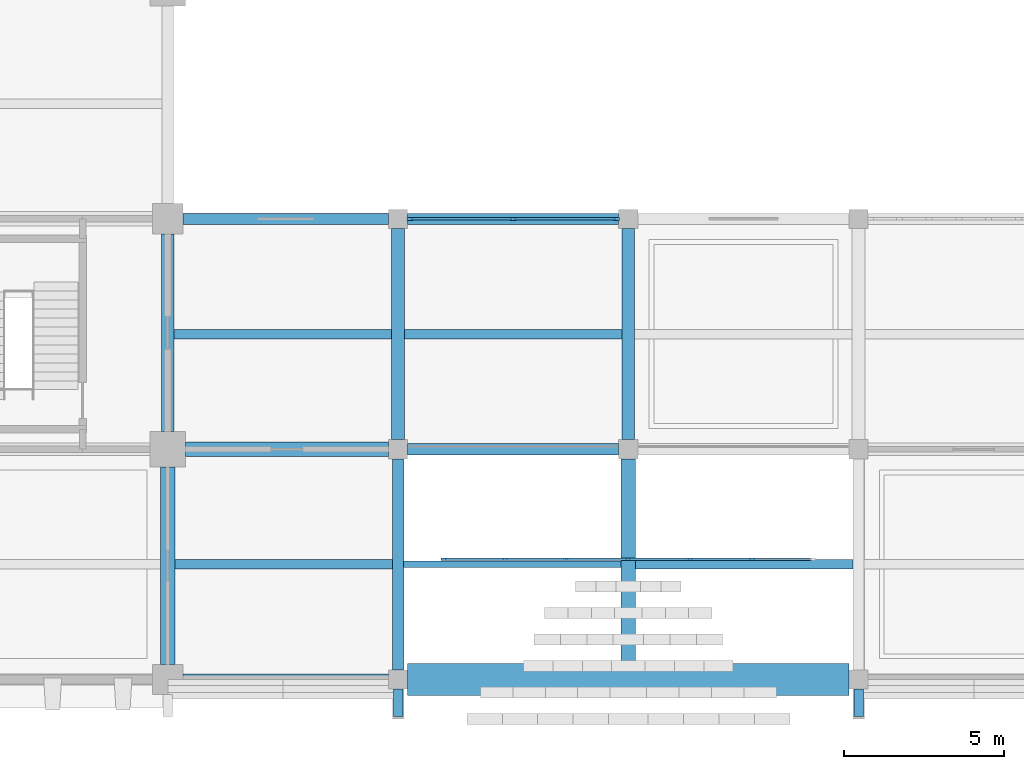
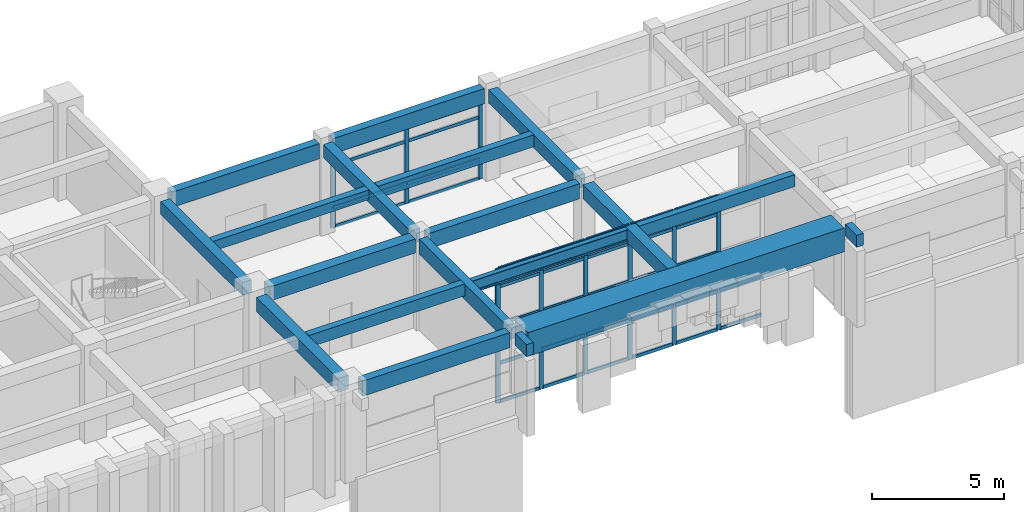
# One storey, part 9 of 81: 45 members, 18 beams, 2 elements without a shape of their own.
"""IFC4 building model written with IfcOpenShell, lengths in metres."""

import ifcopenshell
import ifcopenshell.guid

model = None  # the IFC model being written
_history = None  # IfcOwnerHistory: only IFC2X3 demands one
_inside = {}  # id of a spatial element -> (the spatial element, [elements in it])
_under = {}  # id of a project, library or spatial element -> (it, [spatial elements below it])
_declared = {}  # id of a project -> (the project, [libraries it declares])
_typed = {}  # id of a type object -> (the type object, [elements of that type])
_made_of = {}  # id of a material, layer set ... -> (it, [elements and type objects made of it])


def new_model(schema):
    """Start an empty IFC model of exactly this schema.

    Asked for "IFC4X3", IfcOpenShell would pick the latest addendum, in which some entities
    have other attributes; the version numbers below select the first issue.
    IFC2X3 requires an IfcOwnerHistory on every rooted entity: one is made here for all.
    """
    global model, _history
    if schema == "IFC4X3":
        model = ifcopenshell.file(schema_version=(4, 3, 0, 0))
    else:
        model = ifcopenshell.file(schema=schema)
    _inside.clear()
    _under.clear()
    _declared.clear()
    _typed.clear()
    _made_of.clear()
    _history = None
    if model.schema == "IFC2X3":
        org = make("IfcOrganization", Name="unknown")
        user = make(
            "IfcPersonAndOrganization",
            ThePerson=make("IfcPerson", FamilyName="unknown"),
            TheOrganization=org,
        )
        app = make(
            "IfcApplication",
            ApplicationDeveloper=org,
            Version="unknown",
            ApplicationFullName="unknown",
            ApplicationIdentifier="unknown",
        )
        _history = make(
            "IfcOwnerHistory",
            OwningUser=user,
            OwningApplication=app,
            ChangeAction="ADDED",
            CreationDate=0,
        )
    return model


def make(cls, **values):
    """One entity of the class cls with the attributes given. An attribute that is None is left unset."""
    return model.create_entity(
        cls, **{name: value for name, value in values.items() if value is not None}
    )


def rooted(cls, **values):
    """An entity with a GlobalId (a new one), such as an element, a storey or a relation."""
    return make(cls, GlobalId=ifcopenshell.guid.new(), OwnerHistory=_history, **values)


def si_unit(unit_type, name, prefix=None):
    """IfcSIUnit, for example si_unit("LENGTHUNIT", "METRE", prefix="MILLI")."""
    return make("IfcSIUnit", UnitType=unit_type, Prefix=prefix, Name=name)


def assignment(units):
    """IfcUnitAssignment: the units of a project."""
    return None if units is None else make("IfcUnitAssignment", Units=units)


def point(xyz):
    """IfcCartesianPoint."""
    return None if xyz is None else make("IfcCartesianPoint", Coordinates=xyz)


def direction(xyz):
    """IfcDirection."""
    return None if xyz is None else make("IfcDirection", DirectionRatios=xyz)


def frame(location, z_axis=None, x_axis=None):
    """IfcAxis2Placement3D, a coordinate frame: its origin and axes. An axis left out is left unset."""
    return make(
        "IfcAxis2Placement3D",
        Location=point(location),
        Axis=direction(z_axis),
        RefDirection=direction(x_axis),
    )


def frame_2d(location, x_axis=None):
    """IfcAxis2Placement2D, a coordinate frame in the plane: its origin and x axis."""
    return make(
        "IfcAxis2Placement2D", Location=point(location), RefDirection=direction(x_axis)
    )


def origin():
    """The frame at (0, 0, 0) with its axes left unset."""
    return frame((0.0, 0.0, 0.0))


def origin_2d():
    """The frame at (0, 0) in the plane with its x axis left unset."""
    return frame_2d((0.0, 0.0))


def place(relative_to, where):
    """IfcLocalPlacement: puts the frame where relative to a parent placement (None: the world)."""
    return make(
        "IfcLocalPlacement", PlacementRelTo=relative_to, RelativePlacement=where
    )


def context(
    kind, dimensions, precision=None, world=None, true_north=None, identifier=None
):
    """IfcGeometricRepresentationContext, for example the 3D "Model" context."""
    return make(
        "IfcGeometricRepresentationContext",
        ContextIdentifier=identifier,
        ContextType=kind,
        CoordinateSpaceDimension=dimensions,
        Precision=precision,
        WorldCoordinateSystem=world,
        TrueNorth=true_north,
    )


def subcontext(parent, identifier, kind, view, scale=None):
    """IfcGeometricRepresentationSubContext, for example "Body" below "Model"."""
    return make(
        "IfcGeometricRepresentationSubContext",
        ContextIdentifier=identifier,
        ContextType=kind,
        ParentContext=parent,
        TargetScale=scale,
        TargetView=view,
    )


def project(units=None, contexts=None):
    """IfcProject with its units and contexts."""
    return rooted(
        "IfcProject",
        Name="project",
        RepresentationContexts=contexts,
        UnitsInContext=assignment(units),
    )


def spatial(cls, under=None, at=None, **own):
    """A site, building, storey or space (cls), placed at a placement, below another one or the project."""
    s = rooted(cls, ObjectPlacement=at, **own)
    if under is not None:
        _under.setdefault(under.id(), (under, []))[1].append(s)
    return s


def profile(cls, at=None, kind="AREA", **sizes):
    """A parametric profile (cls). Its sizes go by their IFC names, for example OverallWidth=200.0."""
    return make(cls, ProfileType=kind, Position=at, **sizes)


def rectangle(**sizes):
    """IfcRectangleProfileDef."""
    return profile("IfcRectangleProfileDef", **sizes)


def i_section(**sizes):
    """IfcIShapeProfileDef."""
    return profile("IfcIShapeProfileDef", **sizes)


def extrude(swept, where, along, depth):
    """IfcExtrudedAreaSolid: the profile swept, set in the frame where, extruded along a direction by depth."""
    return make(
        "IfcExtrudedAreaSolid",
        SweptArea=swept,
        Position=where,
        ExtrudedDirection=direction(along),
        Depth=depth,
    )


def shape(context_of_items, identifier, shape_type, items):
    """IfcShapeRepresentation: the items that make up one representation, for example the "Body"."""
    return make(
        "IfcShapeRepresentation",
        ContextOfItems=context_of_items,
        RepresentationIdentifier=identifier,
        RepresentationType=shape_type,
        Items=items,
    )


def material(Name=None, Category=None):
    """IfcMaterial."""
    return make("IfcMaterial", Name=Name, Category=Category)


def layer(
    of_material, thickness, ventilated=None, Name=None, Category=None, Priority=None
):
    """IfcMaterialLayer: one layer of a wall or slab, of a material (None: an air gap)."""
    return make(
        "IfcMaterialLayer",
        Material=of_material,
        LayerThickness=thickness,
        IsVentilated=ventilated,
        Name=Name,
        Category=Category,
        Priority=Priority,
    )


def layer_set(layers, Name=None):
    """IfcMaterialLayerSet."""
    return make("IfcMaterialLayerSet", MaterialLayers=layers, LayerSetName=Name)


def material_profile(
    of_material, cross_section, Name=None, Category=None, Priority=None
):
    """IfcMaterialProfile: a cross section and its material."""
    return make(
        "IfcMaterialProfile",
        Name=Name,
        Material=of_material,
        Profile=cross_section,
        Priority=Priority,
        Category=Category,
    )


def profile_set(profiles, Name=None, composite=None):
    """IfcMaterialProfileSet."""
    return make(
        "IfcMaterialProfileSet",
        Name=Name,
        MaterialProfiles=profiles,
        CompositeProfile=composite,
    )


def made_of(thing, what):
    """Note that an element or type object is made of a material, layer set ...; save() writes the relation."""
    if what is not None:
        _made_of.setdefault(what.id(), (what, []))[1].append(thing)
    return thing


def type_object(cls, material=None, **own):
    """A type object (cls), such as IfcWallType, which elements share."""
    return made_of(rooted(cls, **own), material)


def element(
    cls,
    number,
    at=None,
    inside=None,
    cuts=None,
    type_object=None,
    material=None,
    context=None,
    identifier="Body",
    shape_type=None,
    held_by="IfcProductDefinitionShape",
    body=None,
    shapes=None,
    **own,
):
    """One element of the class cls, such as IfcWall. Its Tag is "e" and its number.

    at: its placement. inside: the storey or other place that contains it. cuts: it is an
    opening in that element (IfcRelVoidsElement). A single representation is given by context,
    identifier, shape_type and body (its items); several are given by shapes. held_by: the class
    of the entity that holds the representations. save() writes the other relations.
    """
    e = rooted(cls, Tag="e%d" % number, ObjectPlacement=at, **own)
    if body is not None:
        shapes = [shape(context, identifier, shape_type, body)]
    if shapes is not None:
        e.Representation = make(held_by, Representations=shapes)
    if inside is not None:
        _inside.setdefault(inside.id(), (inside, []))[1].append(e)
    if cuts is not None:
        rooted(
            "IfcRelVoidsElement", RelatingBuildingElement=cuts, RelatedOpeningElement=e
        )
    if type_object is not None:
        _typed.setdefault(type_object.id(), (type_object, []))[1].append(e)
    return made_of(e, material)


def aggregate(whole, parts):
    """IfcRelAggregates: a whole, such as a stair, and the parts it consists of."""
    return rooted("IfcRelAggregates", RelatingObject=whole, RelatedObjects=parts)


def save(model, path):
    """Write the relations noted so far, then the file.

    IfcRelAggregates (storeys below a building ...), IfcRelContainedInSpatialStructure (elements
    in a storey), IfcRelDefinesByType, IfcRelAssociatesMaterial and IfcRelDeclares: one each for
    every whole, place, type object, material and project.
    """
    for whole, parts in _under.values():
        aggregate(whole, parts)
    for where, things in _inside.values():
        rooted(
            "IfcRelContainedInSpatialStructure",
            RelatedElements=things,
            RelatingStructure=where,
        )
    for kind, things in _typed.values():
        rooted("IfcRelDefinesByType", RelatedObjects=things, RelatingType=kind)
    for what, things in _made_of.values():
        rooted("IfcRelAssociatesMaterial", RelatedObjects=things, RelatingMaterial=what)
    for by, libraries in _declared.values():
        rooted("IfcRelDeclares", RelatingContext=by, RelatedDefinitions=libraries)
    model.write(path)


model = new_model("IFC4")

# Units and contexts
model_context = context("Model", 3, precision=1e-05, world=origin(), true_north=direction((0.0, 1.0)))
body_context = subcontext(model_context, "Body", "Model", "MODEL_VIEW")
ifc_project = project(units=[si_unit("LENGTHUNIT", "METRE"), si_unit("AREAUNIT", "SQUARE_METRE"), si_unit("VOLUMEUNIT", "CUBIC_METRE"), si_unit("PLANEANGLEUNIT", "RADIAN"), si_unit("MASSUNIT", "GRAM", prefix="KILO")], contexts=[model_context])

# Site, building, storey
site_placement = place(None, origin())
site = spatial("IfcSite", under=ifc_project, at=site_placement, CompositionType="ELEMENT")
building_placement = place(site_placement, origin())
building = spatial("IfcBuilding", under=site, at=building_placement, Name="Kavelor Marine Aquarium", CompositionType="ELEMENT")
storey_placement = place(building_placement, frame((0.0, 0.0, 4.679931640625)))
storey = spatial("IfcBuildingStorey", under=building, at=storey_placement, Name="L01", CompositionType="ELEMENT", Elevation=4.679931640625)

# Beams
ifc_material_1 = material(Name="Concrete C40/50", Category="concrete")
ifc_material_profile_1 = material_profile(ifc_material_1, rectangle(XDim=0.449951171875, YDim=0.64990234375, at=origin_2d()), Name="RC-BM 450x650")
ifc_profile_set_1 = profile_set([ifc_material_profile_1], Name="Concrete C40/50")
beam_type_1 = type_object("IfcBeamType", Name="BM-B3", PredefinedType="BEAM", material=ifc_profile_set_1)
beam_1_placement = place(storey_placement, frame((68.550048828125, 10.0, 3.875), z_axis=(1.0, 0.0, 0.0), x_axis=(0.0, 1.0, 0.0)))
element("IfcBeam", 1, at=beam_1_placement, inside=storey, type_object=beam_type_1, Name="bm:x:L01:L02:09_01", PredefinedType="BEAM", context=body_context, shape_type="SweptSolid", body=[
    extrude(rectangle(XDim=0.449951171875, YDim=0.64990234375, at=origin_2d()), origin(), (0.0, 0.0, 1.0), 6.349853515625),
])
beam_2_placement = place(storey_placement, frame((68.0, 3.27490234375, 3.875), z_axis=(0.0, 1.0, 0.0), x_axis=(-1.0, 0.0, 0.0)))
element("IfcBeam", 2, at=beam_2_placement, inside=storey, type_object=beam_type_1, Name="bm:y:L01:L02:09_00", PredefinedType="BEAM", context=body_context, shape_type="SweptSolid", body=[
    extrude(rectangle(XDim=0.449951171875, YDim=0.64990234375, at=origin_2d()), origin(), (0.0, 0.0, 1.0), 6.175048828125),
])
beam_3_placement = place(storey_placement, frame((82.39990234375, 3.300048828125, 3.875), z_axis=(0.0, 1.0, 0.0), x_axis=(-1.0, 0.0, 0.0)))
element("IfcBeam", 3, at=beam_3_placement, inside=storey, type_object=beam_type_1, Name="bm:y:L01:L02:11_00", PredefinedType="BEAM", context=body_context, shape_type="SweptSolid", body=[
    extrude(rectangle(XDim=0.449951171875, YDim=0.64990234375, at=origin_2d()), origin(), (0.0, 0.0, 1.0), 6.39990234375),
])
ifc_material_2 = material(Name="Concrete C40/50", Category="concrete")
ifc_material_profile_2 = material_profile(ifc_material_2, rectangle(XDim=0.39990234375, YDim=0.60009765625, at=origin_2d()), Name="RC-BM 400x600")
ifc_profile_set_2 = profile_set([ifc_material_profile_2], Name="Concrete C40/50")
beam_type_2 = type_object("IfcBeamType", Name="BM-B4", PredefinedType="BEAM", material=ifc_profile_set_2)
beam_4_placement = place(storey_placement, frame((68.0, 10.550048828125, 3.900146484375), z_axis=(0.0, 1.0, 0.0), x_axis=(-1.0, 0.0, 0.0)))
element("IfcBeam", 4, at=beam_4_placement, inside=storey, type_object=beam_type_2, Name="bm:y:L01:L02:09_01", PredefinedType="BEAM", context=body_context, shape_type="SweptSolid", body=[
    extrude(rectangle(XDim=0.39990234375, YDim=0.60009765625, at=origin_2d()), origin(), (0.0, 0.0, 1.0), 6.175048828125),
])
for number, where, z_axis, x_axis, name in (
    (5, (75.199951171875, 10.300048828125, 3.900146484375), (0.0, 1.0, 0.0), (-1.0, 0.0, 0.0), "bm:y:L01:L02:10_01"),
    (6, (82.39990234375, 10.300048828125, 3.900146484375), (0.0, 1.0, 0.0), (-1.0, 0.0, 0.0), "bm:y:L01:L02:11_01"),
):
    element("IfcBeam", number, at=place(storey_placement, frame(where, z_axis=z_axis, x_axis=x_axis)), inside=storey, type_object=beam_type_2, Name=name, PredefinedType="BEAM", context=body_context, shape_type="SweptSolid", body=[
        extrude(rectangle(XDim=0.39990234375, YDim=0.60009765625, at=origin_2d()), origin(), (0.0, 0.0, 1.0), 6.599853515625),
    ])
ifc_material_3 = material(Name="Concrete C40/50", Category="concrete")
ifc_material_profile_3 = material_profile(ifc_material_3, rectangle(XDim=0.300048828125, YDim=0.449951171875, at=origin_2d()), Name="RC-JS 300x450")
ifc_profile_set_3 = profile_set([ifc_material_profile_3], Name="Concrete C40/50")
beam_type_3 = type_object("IfcBeamType", Name="BM-JS1", PredefinedType="JOIST", material=ifc_profile_set_3)
beam_5_placement = place(storey_placement, frame((68.199951171875, 13.60009765625, 3.97509765625), z_axis=(1.0, 0.0, 0.0), x_axis=(0.0, 1.0, 0.0)))
element("IfcBeam", 7, at=beam_5_placement, inside=storey, type_object=beam_type_3, Name="js:L01:L02:09_01", PredefinedType="JOIST", context=body_context, shape_type="SweptSolid", body=[
    extrude(rectangle(XDim=0.300048828125, YDim=0.449951171875, at=origin_2d()), origin(), (0.0, 0.0, 1.0), 6.800048828125),
])
ifc_material_4 = material(Name="Concrete C40/50", Category="concrete")
ifc_material_profile_4 = material_profile(ifc_material_4, rectangle(XDim=0.300048828125, YDim=0.550048828125, at=origin_2d()), Name="RC-JS 300x550")
ifc_profile_set_4 = profile_set([ifc_material_profile_4], Name="Concrete C40/50")
beam_type_4 = type_object("IfcBeamType", Name="BM-JS2", PredefinedType="JOIST", material=ifc_profile_set_4)
beam_6_placement = place(storey_placement, frame((68.22509765625, 6.39990234375, 3.945068359375), z_axis=(1.0, 0.0, 0.0), x_axis=(0.0, 1.0, 0.0)))
element("IfcBeam", 8, at=beam_6_placement, inside=storey, type_object=beam_type_4, Name="js:L01:L02:09_00", PredefinedType="JOIST", context=body_context, shape_type="SweptSolid", body=[
    extrude(rectangle(XDim=0.300048828125, YDim=0.550048828125, at=origin_2d()), origin(), (0.0, 0.0, 1.0), 6.7998046875),
])
for number, where, z_axis, x_axis, name in (
    (9, (75.39990234375, 13.60009765625, 3.945068359375), (1.0, 0.0, 0.0), (0.0, 1.0, 0.0), "js:L01:L02:10_01"),
    (10, (82.625, 6.39990234375, 3.945068359375), (1.0, 0.0, 0.0), (0.0, 1.0, 0.0), "js:L01:L02:11_00"),
):
    element("IfcBeam", number, at=place(storey_placement, frame(where, z_axis=z_axis, x_axis=x_axis)), inside=storey, type_object=beam_type_4, Name=name, PredefinedType="JOIST", context=body_context, shape_type="SweptSolid", body=[
        extrude(rectangle(XDim=0.300048828125, YDim=0.550048828125, at=origin_2d()), origin(), (0.0, 0.0, 1.0), 6.800048828125),
    ])
ifc_material_5 = material(Name="Concrete C40/50", Category="concrete")
ifc_material_profile_5 = material_profile(ifc_material_5, rectangle(XDim=0.35009765625, YDim=0.699951171875, at=origin_2d()), Name="RC-SP 350x700")
ifc_profile_set_5 = profile_set([ifc_material_profile_5], Name="Concrete C40/50")
beam_type_5 = type_object("IfcBeamType", Name="BM-SP1", PredefinedType="SPANDREL", material=ifc_profile_set_5)
for number, where, z_axis, x_axis, name in (
    (11, (68.47509765625, 2.800048828125, 3.8701171875), (1.0, 0.0, 0.0), (0.0, 1.0, 0.0), "bm:x:L01:L02:09_00"),
    (12, (68.47509765625, 17.199951171875, 3.85009765625), (1.0, 0.0, 0.0), (0.0, 1.0, 0.0), "bm:x:L01:L02:09_02"),
):
    element("IfcBeam", number, at=place(storey_placement, frame(where, z_axis=z_axis, x_axis=x_axis)), inside=storey, type_object=beam_type_5, Name=name, PredefinedType="SPANDREL", context=body_context, shape_type="SweptSolid", body=[
        extrude(rectangle(XDim=0.35009765625, YDim=0.699951171875, at=origin_2d()), origin(), (0.0, 0.0, 1.0), 6.4248046875),
    ])
for number, where, z_axis, x_axis, name in (
    (13, (75.5, 10.0, 3.85009765625), (1.0, 0.0, 0.0), (0.0, 1.0, 0.0), "bm:x:L01:L02:10_01"),
    (14, (75.5, 17.199951171875, 3.8701171875), (1.0, 0.0, 0.0), (0.0, 1.0, 0.0), "bm:x:L01:L02:10_02"),
):
    element("IfcBeam", number, at=place(storey_placement, frame(where, z_axis=z_axis, x_axis=x_axis)), inside=storey, type_object=beam_type_5, Name=name, PredefinedType="SPANDREL", context=body_context, shape_type="SweptSolid", body=[
        extrude(rectangle(XDim=0.35009765625, YDim=0.699951171875, at=origin_2d()), origin(), (0.0, 0.0, 1.0), 6.60009765625),
    ])
beam_7_placement = place(storey_placement, frame((75.199951171875, 3.10009765625, 3.85009765625), z_axis=(0.0, 1.0, 0.0), x_axis=(-1.0, 0.0, 0.0)))
element("IfcBeam", 15, at=beam_7_placement, inside=storey, type_object=beam_type_5, Name="bm:y:L01:L02:10_00", PredefinedType="SPANDREL", context=body_context, shape_type="SweptSolid", body=[
    extrude(rectangle(XDim=0.35009765625, YDim=0.699951171875, at=origin_2d()), origin(), (0.0, 0.0, 1.0), 6.599853515625),
])
ifc_material_6 = material(Name="Concrete C40/50", Category="concrete")
ifc_material_profile_6 = material_profile(ifc_material_6, rectangle(XDim=0.300048828125, YDim=0.550048828125, at=origin_2d()), Name="RC-SP 300x550")
ifc_profile_set_6 = profile_set([ifc_material_profile_6], Name="Concrete C40/50")
beam_type_6 = type_object("IfcBeamType", Name="BM-SP2", PredefinedType="SPANDREL", material=ifc_profile_set_6)
for number, where, z_axis, x_axis, name in (
    (16, (75.199951171875, 1.639892578125, 3.925048828125), (0.0, 1.0, 0.0), (-1.0, 0.0, 0.0), "bm:out:s:L01:L02:10"),
    (17, (89.60009765625, 1.639892578125, 3.925048828125), (0.0, 1.0, 0.0), (-1.0, 0.0, 0.0), "bm:out:s:L01:L02:12"),
):
    element("IfcBeam", number, at=place(storey_placement, frame(where, z_axis=z_axis, x_axis=x_axis)), inside=storey, type_object=beam_type_6, Name=name, PredefinedType="SPANDREL", context=body_context, shape_type="SweptSolid", body=[
        extrude(rectangle(XDim=0.300048828125, YDim=0.550048828125, at=origin_2d()), origin(), (0.0, 0.0, 1.0), 0.860107421875),
    ])
ifc_material_7 = material(Name="Concrete C45/55", Category="concrete")
ifc_material_profile_7 = material_profile(ifc_material_7, rectangle(XDim=1.0, YDim=1.10009765625, at=origin_2d()), Name="RC-TG 1000x1100")
ifc_profile_set_7 = profile_set([ifc_material_profile_7], Name="Concrete C45/55")
beam_type_7 = type_object("IfcBeamType", Name="BM-TG1", PredefinedType="BEAM", material=ifc_profile_set_7)
beam_8_placement = place(storey_placement, frame((75.5, 2.800048828125, 3.650146484375), z_axis=(1.0, 0.0, 0.0), x_axis=(0.0, 1.0, 0.0)))
element("IfcBeam", 18, at=beam_8_placement, inside=storey, type_object=beam_type_7, Name="bm:x:L01:L02:10_00_span", PredefinedType="BEAM", context=body_context, shape_type="SweptSolid", body=[
    extrude(rectangle(XDim=1.0, YDim=1.10009765625, at=origin_2d()), origin(), (0.0, 0.0, 1.0), 13.800048828125),
])

# Curtain wall, members
ifc_material_8 = material(Name="Thermally Broken Aluminium and Low-E Glass", Category="aluminium")
ifc_layer_1 = layer(ifc_material_8, 0.2919921875)
ifc_layer_set_1 = layer_set([ifc_layer_1], Name="CW-SYS19")
curtain_wall_type_1 = type_object("IfcCurtainWallType", Name="CW-SYS19", PredefinedType="USERDEFINED", material=ifc_layer_set_1)
curtain_wall_1_placement = place(storey_placement, origin())
curtain_wall_1 = element("IfcCurtainWall", 19, at=curtain_wall_1_placement, inside=storey, type_object=curtain_wall_type_1, Name="cw:portal:south:screen", ObjectType="Curtain Wall", PredefinedType="USERDEFINED")
ifc_material_9 = material(Name="Anodised Aluminium Alloy 6063-T6", Category="aluminium")
ifc_material_profile_8 = material_profile(ifc_material_9, rectangle(XDim=0.074951171875, YDim=0.179931640625, at=origin_2d()), Name="CW-MUL 75x180")
ifc_profile_set_8 = profile_set([ifc_material_profile_8], Name="Anodised Aluminium Alloy 6063-T6")
member_type_1 = type_object("IfcMemberType", Name="CWM-1", PredefinedType="MULLION", material=ifc_profile_set_8)
member_1_placement = place(storey_placement, frame((86.2666015625, 6.56005859375, -2.0), z_axis=(0.0, 0.0, 1.0), x_axis=(0.0, -1.0, 0.0)))
member_1 = element("IfcMember", 20, at=member_1_placement, type_object=member_type_1, Name="CW19 mullion 2", PredefinedType="MULLION", context=body_context, shape_type="SweptSolid", body=[
    extrude(rectangle(XDim=0.074951171875, YDim=0.179931640625, at=origin_2d()), origin(), (0.0, 0.0, 1.0), 6.190185546875),
])
member_2_placement = place(storey_placement, frame((84.333251953125, 6.56005859375, -2.0), z_axis=(0.0, 0.0, 1.0), x_axis=(0.0, -1.0, 0.0)))
member_2 = element("IfcMember", 21, at=member_2_placement, type_object=member_type_1, Name="CW19 mullion 3", PredefinedType="MULLION", context=body_context, shape_type="SweptSolid", body=[
    extrude(rectangle(XDim=0.074951171875, YDim=0.179931640625, at=origin_2d()), origin(), (0.0, 0.0, 1.0), 6.190185546875),
])
member_3_placement = place(storey_placement, frame((82.39990234375, 6.56005859375, -2.0), z_axis=(0.0, 0.0, 1.0), x_axis=(0.0, -1.0, 0.0)))
member_3 = element("IfcMember", 22, at=member_3_placement, type_object=member_type_1, Name="CW19 mullion 4", PredefinedType="MULLION", context=body_context, shape_type="SweptSolid", body=[
    extrude(rectangle(XDim=0.074951171875, YDim=0.179931640625, at=origin_2d()), origin(), (0.0, 0.0, 1.0), 6.190185546875),
])
member_4_placement = place(storey_placement, frame((80.466552734375, 6.56005859375, -2.0), z_axis=(0.0, 0.0, 1.0), x_axis=(0.0, -1.0, 0.0)))
member_4 = element("IfcMember", 23, at=member_4_placement, type_object=member_type_1, Name="CW19 mullion 5", PredefinedType="MULLION", context=body_context, shape_type="SweptSolid", body=[
    extrude(rectangle(XDim=0.074951171875, YDim=0.179931640625, at=origin_2d()), origin(), (0.0, 0.0, 1.0), 6.190185546875),
])
member_5_placement = place(storey_placement, frame((78.533447265625, 6.56005859375, -2.0), z_axis=(0.0, 0.0, 1.0), x_axis=(0.0, -1.0, 0.0)))
member_5 = element("IfcMember", 24, at=member_5_placement, type_object=member_type_1, Name="CW19 mullion 6", PredefinedType="MULLION", context=body_context, shape_type="SweptSolid", body=[
    extrude(rectangle(XDim=0.074951171875, YDim=0.179931640625, at=origin_2d()), origin(), (0.0, 0.0, 1.0), 6.190185546875),
])
member_6_placement = place(storey_placement, frame((76.637451171875, 6.56005859375, -2.0), z_axis=(0.0, 0.0, 1.0), x_axis=(0.0, -1.0, 0.0)))
member_6 = element("IfcMember", 25, at=member_6_placement, type_object=member_type_1, Name="CW19 mullion 7", PredefinedType="MULLION", context=body_context, shape_type="SweptSolid", body=[
    extrude(rectangle(XDim=0.074951171875, YDim=0.179931640625, at=origin_2d()), origin(), (0.0, 0.0, 1.0), 6.190185546875),
])

ifc_material_10 = material(Name="Thermally Broken Aluminium and Low-E Glass", Category="aluminium")
ifc_layer_2 = layer(ifc_material_10, 0.33203125)
ifc_layer_set_2 = layer_set([ifc_layer_2], Name="CW-SYS24")
curtain_wall_type_2 = type_object("IfcCurtainWallType", Name="CW-SYS24", PredefinedType="USERDEFINED", material=ifc_layer_set_2)
curtain_wall_2_placement = place(storey_placement, origin())
curtain_wall_2 = element("IfcCurtainWall", 26, at=curtain_wall_2_placement, inside=storey, type_object=curtain_wall_type_2, Name="cw:x:L01:10_02", ObjectType="Curtain Wall", PredefinedType="USERDEFINED")
ifc_material_11 = material(Name="Anodised Aluminium Alloy 6063-T6", Category="aluminium")
ifc_material_profile_9 = material_profile(ifc_material_11, rectangle(XDim=0.0849609375, YDim=0.18994140625, at=origin_2d()), Name="CW-MUL 85x190")
ifc_profile_set_9 = profile_set([ifc_material_profile_9], Name="Anodised Aluminium Alloy 6063-T6")
member_type_2 = type_object("IfcMemberType", Name="CWM-3", PredefinedType="MULLION", material=ifc_profile_set_9)
member_7_placement = place(storey_placement, frame((75.574951171875, 17.199951171875, 0.0), z_axis=(0.0, 0.0, 1.0), x_axis=(0.0, 1.0, 0.0)))
member_7 = element("IfcMember", 27, at=member_7_placement, type_object=member_type_2, Name="CW24 mullion 1", PredefinedType="MULLION", context=body_context, shape_type="SweptSolid", body=[
    extrude(rectangle(XDim=0.0849609375, YDim=0.18994140625, at=origin_2d()), origin(), (0.0, 0.0, 1.0), 3.510009765625),
])
member_8_placement = place(storey_placement, frame((78.800048828125, 17.199951171875, 0.0), z_axis=(0.0, 0.0, 1.0), x_axis=(0.0, 1.0, 0.0)))
member_8 = element("IfcMember", 28, at=member_8_placement, type_object=member_type_2, Name="CW24 mullion 2", PredefinedType="MULLION", context=body_context, shape_type="SweptSolid", body=[
    extrude(rectangle(XDim=0.0849609375, YDim=0.18994140625, at=origin_2d()), origin(), (0.0, 0.0, 1.0), 3.510009765625),
])
member_9_placement = place(storey_placement, frame((82.02490234375, 17.199951171875, 0.0), z_axis=(0.0, 0.0, 1.0), x_axis=(0.0, 1.0, 0.0)))
member_9 = element("IfcMember", 29, at=member_9_placement, type_object=member_type_2, Name="CW24 mullion 3", PredefinedType="MULLION", context=body_context, shape_type="SweptSolid", body=[
    extrude(rectangle(XDim=0.0849609375, YDim=0.18994140625, at=origin_2d()), origin(), (0.0, 0.0, 1.0), 3.510009765625),
])
ifc_material_12 = material(Name="Anodised Aluminium Alloy 6063-T6", Category="aluminium")
ifc_material_profile_10 = material_profile(ifc_material_12, rectangle(XDim=0.074951171875, YDim=0.14990234375, at=origin_2d()), Name="CW-TRN 75x150")
ifc_profile_set_10 = profile_set([ifc_material_profile_10], Name="Anodised Aluminium Alloy 6063-T6")
member_type_3 = type_object("IfcMemberType", Name="CWT-1", PredefinedType="USERDEFINED", material=ifc_profile_set_10)
member_10_placement = place(storey_placement, frame((75.60498046875, 17.199951171875, 0.03759765625), z_axis=(1.0, 0.0, 0.0), x_axis=(0.0, 1.0, 0.0)))
member_10 = element("IfcMember", 30, at=member_10_placement, type_object=member_type_3, Name="CW24 transom 1.1", ObjectType="TRANSOM", PredefinedType="USERDEFINED", context=body_context, shape_type="SweptSolid", body=[
    extrude(rectangle(XDim=0.074951171875, YDim=0.14990234375, at=origin_2d()), origin(), (0.0, 0.0, 1.0), 3.1650390625),
])
member_11_placement = place(storey_placement, frame((75.60498046875, 17.199951171875, 0.900146484375), z_axis=(1.0, 0.0, 0.0), x_axis=(0.0, 1.0, 0.0)))
member_11 = element("IfcMember", 31, at=member_11_placement, type_object=member_type_3, Name="CW24 transom 1.2", ObjectType="TRANSOM", PredefinedType="USERDEFINED", context=body_context, shape_type="SweptSolid", body=[
    extrude(rectangle(XDim=0.074951171875, YDim=0.14990234375, at=origin_2d()), origin(), (0.0, 0.0, 1.0), 3.1650390625),
])
member_12_placement = place(storey_placement, frame((75.60498046875, 17.199951171875, 2.860107421875), z_axis=(1.0, 0.0, 0.0), x_axis=(0.0, 1.0, 0.0)))
member_12 = element("IfcMember", 32, at=member_12_placement, type_object=member_type_3, Name="CW24 transom 1.3", ObjectType="TRANSOM", PredefinedType="USERDEFINED", context=body_context, shape_type="SweptSolid", body=[
    extrude(rectangle(XDim=0.074951171875, YDim=0.14990234375, at=origin_2d()), origin(), (0.0, 0.0, 1.0), 3.1650390625),
])
member_13_placement = place(storey_placement, frame((75.60498046875, 17.199951171875, 3.47265625), z_axis=(1.0, 0.0, 0.0), x_axis=(0.0, 1.0, 0.0)))
member_13 = element("IfcMember", 33, at=member_13_placement, type_object=member_type_3, Name="CW24 transom 1.4", ObjectType="TRANSOM", PredefinedType="USERDEFINED", context=body_context, shape_type="SweptSolid", body=[
    extrude(rectangle(XDim=0.074951171875, YDim=0.14990234375, at=origin_2d()), origin(), (0.0, 0.0, 1.0), 3.1650390625),
])
member_14_placement = place(storey_placement, frame((78.830078125, 17.199951171875, 0.03759765625), z_axis=(1.0, 0.0, 0.0), x_axis=(0.0, 1.0, 0.0)))
member_14 = element("IfcMember", 34, at=member_14_placement, type_object=member_type_3, Name="CW24 transom 2.1", ObjectType="TRANSOM", PredefinedType="USERDEFINED", context=body_context, shape_type="SweptSolid", body=[
    extrude(rectangle(XDim=0.074951171875, YDim=0.14990234375, at=origin_2d()), origin(), (0.0, 0.0, 1.0), 3.1650390625),
])
member_15_placement = place(storey_placement, frame((78.830078125, 17.199951171875, 0.900146484375), z_axis=(1.0, 0.0, 0.0), x_axis=(0.0, 1.0, 0.0)))
member_15 = element("IfcMember", 35, at=member_15_placement, type_object=member_type_3, Name="CW24 transom 2.2", ObjectType="TRANSOM", PredefinedType="USERDEFINED", context=body_context, shape_type="SweptSolid", body=[
    extrude(rectangle(XDim=0.074951171875, YDim=0.14990234375, at=origin_2d()), origin(), (0.0, 0.0, 1.0), 3.1650390625),
])
member_16_placement = place(storey_placement, frame((78.830078125, 17.199951171875, 2.860107421875), z_axis=(1.0, 0.0, 0.0), x_axis=(0.0, 1.0, 0.0)))
member_16 = element("IfcMember", 36, at=member_16_placement, type_object=member_type_3, Name="CW24 transom 2.3", ObjectType="TRANSOM", PredefinedType="USERDEFINED", context=body_context, shape_type="SweptSolid", body=[
    extrude(rectangle(XDim=0.074951171875, YDim=0.14990234375, at=origin_2d()), origin(), (0.0, 0.0, 1.0), 3.1650390625),
])
member_17_placement = place(storey_placement, frame((78.830078125, 17.199951171875, 3.47265625), z_axis=(1.0, 0.0, 0.0), x_axis=(0.0, 1.0, 0.0)))
member_17 = element("IfcMember", 37, at=member_17_placement, type_object=member_type_3, Name="CW24 transom 2.4", ObjectType="TRANSOM", PredefinedType="USERDEFINED", context=body_context, shape_type="SweptSolid", body=[
    extrude(rectangle(XDim=0.074951171875, YDim=0.14990234375, at=origin_2d()), origin(), (0.0, 0.0, 1.0), 3.1650390625),
])
aggregate(curtain_wall_2, [member_7, member_8, member_9, member_10, member_11, member_12, member_13, member_14, member_15, member_16, member_17])

# Member
member_18_placement = place(storey_placement, frame((88.125, 6.56005859375, -1.96240234375), z_axis=(-1.0, 0.0, 0.0), x_axis=(0.0, -1.0, 0.0)))
member_18 = element("IfcMember", 38, at=member_18_placement, type_object=member_type_3, Name="CW19 transom 1.1", ObjectType="TRANSOM", PredefinedType="USERDEFINED", context=body_context, shape_type="SweptSolid", body=[
    extrude(rectangle(XDim=0.074951171875, YDim=0.14990234375, at=origin_2d()), origin(), (0.0, 0.0, 1.0), 1.82080078125),
])

member_19_placement = place(storey_placement, frame((88.125, 6.56005859375, -0.199951171875), z_axis=(-1.0, 0.0, 0.0), x_axis=(0.0, -1.0, 0.0)))
member_19 = element("IfcMember", 39, at=member_19_placement, type_object=member_type_3, Name="CW19 transom 1.2", ObjectType="TRANSOM", PredefinedType="USERDEFINED", context=body_context, shape_type="SweptSolid", body=[
    extrude(rectangle(XDim=0.074951171875, YDim=0.14990234375, at=origin_2d()), origin(), (0.0, 0.0, 1.0), 1.82080078125),
])

member_20_placement = place(storey_placement, frame((86.229248046875, 6.56005859375, -1.96240234375), z_axis=(-1.0, 0.0, 0.0), x_axis=(0.0, -1.0, 0.0)))
member_20 = element("IfcMember", 40, at=member_20_placement, type_object=member_type_3, Name="CW19 transom 2.1", ObjectType="TRANSOM", PredefinedType="USERDEFINED", context=body_context, shape_type="SweptSolid", body=[
    extrude(rectangle(XDim=0.074951171875, YDim=0.14990234375, at=origin_2d()), origin(), (0.0, 0.0, 1.0), 1.8583984375),
])

member_21_placement = place(storey_placement, frame((86.229248046875, 6.56005859375, -0.199951171875), z_axis=(-1.0, 0.0, 0.0), x_axis=(0.0, -1.0, 0.0)))
member_21 = element("IfcMember", 41, at=member_21_placement, type_object=member_type_3, Name="CW19 transom 2.2", ObjectType="TRANSOM", PredefinedType="USERDEFINED", context=body_context, shape_type="SweptSolid", body=[
    extrude(rectangle(XDim=0.074951171875, YDim=0.14990234375, at=origin_2d()), origin(), (0.0, 0.0, 1.0), 1.8583984375),
])

member_22_placement = place(storey_placement, frame((86.229248046875, 6.56005859375, 1.60009765625), z_axis=(-1.0, 0.0, 0.0), x_axis=(0.0, -1.0, 0.0)))
member_22 = element("IfcMember", 42, at=member_22_placement, type_object=member_type_3, Name="CW19 transom 2.3", ObjectType="TRANSOM", PredefinedType="USERDEFINED", context=body_context, shape_type="SweptSolid", body=[
    extrude(rectangle(XDim=0.074951171875, YDim=0.14990234375, at=origin_2d()), origin(), (0.0, 0.0, 1.0), 1.8583984375),
])

member_23_placement = place(storey_placement, frame((86.229248046875, 6.56005859375, 3.340087890625), z_axis=(-1.0, 0.0, 0.0), x_axis=(0.0, -1.0, 0.0)))
member_23 = element("IfcMember", 43, at=member_23_placement, type_object=member_type_3, Name="CW19 transom 2.4", ObjectType="TRANSOM", PredefinedType="USERDEFINED", context=body_context, shape_type="SweptSolid", body=[
    extrude(rectangle(XDim=0.074951171875, YDim=0.14990234375, at=origin_2d()), origin(), (0.0, 0.0, 1.0), 1.8583984375),
])

member_24_placement = place(storey_placement, frame((86.229248046875, 6.56005859375, 4.152587890625), z_axis=(-1.0, 0.0, 0.0), x_axis=(0.0, -1.0, 0.0)))
member_24 = element("IfcMember", 44, at=member_24_placement, type_object=member_type_3, Name="CW19 transom 2.5", ObjectType="TRANSOM", PredefinedType="USERDEFINED", context=body_context, shape_type="SweptSolid", body=[
    extrude(rectangle(XDim=0.074951171875, YDim=0.14990234375, at=origin_2d()), origin(), (0.0, 0.0, 1.0), 1.8583984375),
])

member_25_placement = place(storey_placement, frame((84.2958984375, 6.56005859375, -1.96240234375), z_axis=(-1.0, 0.0, 0.0), x_axis=(0.0, -1.0, 0.0)))
member_25 = element("IfcMember", 45, at=member_25_placement, type_object=member_type_3, Name="CW19 transom 3.1", ObjectType="TRANSOM", PredefinedType="USERDEFINED", context=body_context, shape_type="SweptSolid", body=[
    extrude(rectangle(XDim=0.074951171875, YDim=0.14990234375, at=origin_2d()), origin(), (0.0, 0.0, 1.0), 1.8583984375),
])

member_26_placement = place(storey_placement, frame((84.2958984375, 6.56005859375, -0.199951171875), z_axis=(-1.0, 0.0, 0.0), x_axis=(0.0, -1.0, 0.0)))
member_26 = element("IfcMember", 46, at=member_26_placement, type_object=member_type_3, Name="CW19 transom 3.2", ObjectType="TRANSOM", PredefinedType="USERDEFINED", context=body_context, shape_type="SweptSolid", body=[
    extrude(rectangle(XDim=0.074951171875, YDim=0.14990234375, at=origin_2d()), origin(), (0.0, 0.0, 1.0), 1.8583984375),
])

member_27_placement = place(storey_placement, frame((84.2958984375, 6.56005859375, 1.60009765625), z_axis=(-1.0, 0.0, 0.0), x_axis=(0.0, -1.0, 0.0)))
member_27 = element("IfcMember", 47, at=member_27_placement, type_object=member_type_3, Name="CW19 transom 3.3", ObjectType="TRANSOM", PredefinedType="USERDEFINED", context=body_context, shape_type="SweptSolid", body=[
    extrude(rectangle(XDim=0.074951171875, YDim=0.14990234375, at=origin_2d()), origin(), (0.0, 0.0, 1.0), 1.8583984375),
])

member_28_placement = place(storey_placement, frame((84.2958984375, 6.56005859375, 3.340087890625), z_axis=(-1.0, 0.0, 0.0), x_axis=(0.0, -1.0, 0.0)))
member_28 = element("IfcMember", 48, at=member_28_placement, type_object=member_type_3, Name="CW19 transom 3.4", ObjectType="TRANSOM", PredefinedType="USERDEFINED", context=body_context, shape_type="SweptSolid", body=[
    extrude(rectangle(XDim=0.074951171875, YDim=0.14990234375, at=origin_2d()), origin(), (0.0, 0.0, 1.0), 1.8583984375),
])

member_29_placement = place(storey_placement, frame((84.2958984375, 6.56005859375, 4.152587890625), z_axis=(-1.0, 0.0, 0.0), x_axis=(0.0, -1.0, 0.0)))
member_29 = element("IfcMember", 49, at=member_29_placement, type_object=member_type_3, Name="CW19 transom 3.5", ObjectType="TRANSOM", PredefinedType="USERDEFINED", context=body_context, shape_type="SweptSolid", body=[
    extrude(rectangle(XDim=0.074951171875, YDim=0.14990234375, at=origin_2d()), origin(), (0.0, 0.0, 1.0), 1.8583984375),
])

member_30_placement = place(storey_placement, frame((82.362548828125, 6.56005859375, -1.96240234375), z_axis=(-1.0, 0.0, 0.0), x_axis=(0.0, -1.0, 0.0)))
member_30 = element("IfcMember", 50, at=member_30_placement, type_object=member_type_3, Name="CW19 transom 4.1", ObjectType="TRANSOM", PredefinedType="USERDEFINED", context=body_context, shape_type="SweptSolid", body=[
    extrude(rectangle(XDim=0.074951171875, YDim=0.14990234375, at=origin_2d()), origin(), (0.0, 0.0, 1.0), 1.8583984375),
])

member_31_placement = place(storey_placement, frame((82.362548828125, 6.56005859375, -0.199951171875), z_axis=(-1.0, 0.0, 0.0), x_axis=(0.0, -1.0, 0.0)))
member_31 = element("IfcMember", 51, at=member_31_placement, type_object=member_type_3, Name="CW19 transom 4.2", ObjectType="TRANSOM", PredefinedType="USERDEFINED", context=body_context, shape_type="SweptSolid", body=[
    extrude(rectangle(XDim=0.074951171875, YDim=0.14990234375, at=origin_2d()), origin(), (0.0, 0.0, 1.0), 1.8583984375),
])

member_32_placement = place(storey_placement, frame((82.362548828125, 6.56005859375, 1.60009765625), z_axis=(-1.0, 0.0, 0.0), x_axis=(0.0, -1.0, 0.0)))
member_32 = element("IfcMember", 52, at=member_32_placement, type_object=member_type_3, Name="CW19 transom 4.3", ObjectType="TRANSOM", PredefinedType="USERDEFINED", context=body_context, shape_type="SweptSolid", body=[
    extrude(rectangle(XDim=0.074951171875, YDim=0.14990234375, at=origin_2d()), origin(), (0.0, 0.0, 1.0), 1.8583984375),
])

member_33_placement = place(storey_placement, frame((82.362548828125, 6.56005859375, 3.340087890625), z_axis=(-1.0, 0.0, 0.0), x_axis=(0.0, -1.0, 0.0)))
member_33 = element("IfcMember", 53, at=member_33_placement, type_object=member_type_3, Name="CW19 transom 4.4", ObjectType="TRANSOM", PredefinedType="USERDEFINED", context=body_context, shape_type="SweptSolid", body=[
    extrude(rectangle(XDim=0.074951171875, YDim=0.14990234375, at=origin_2d()), origin(), (0.0, 0.0, 1.0), 1.8583984375),
])

member_34_placement = place(storey_placement, frame((82.362548828125, 6.56005859375, 4.152587890625), z_axis=(-1.0, 0.0, 0.0), x_axis=(0.0, -1.0, 0.0)))
member_34 = element("IfcMember", 54, at=member_34_placement, type_object=member_type_3, Name="CW19 transom 4.5", ObjectType="TRANSOM", PredefinedType="USERDEFINED", context=body_context, shape_type="SweptSolid", body=[
    extrude(rectangle(XDim=0.074951171875, YDim=0.14990234375, at=origin_2d()), origin(), (0.0, 0.0, 1.0), 1.8583984375),
])

member_35_placement = place(storey_placement, frame((80.42919921875, 6.56005859375, -1.96240234375), z_axis=(-1.0, 0.0, 0.0), x_axis=(0.0, -1.0, 0.0)))
member_35 = element("IfcMember", 55, at=member_35_placement, type_object=member_type_3, Name="CW19 transom 5.1", ObjectType="TRANSOM", PredefinedType="USERDEFINED", context=body_context, shape_type="SweptSolid", body=[
    extrude(rectangle(XDim=0.074951171875, YDim=0.14990234375, at=origin_2d()), origin(), (0.0, 0.0, 1.0), 1.8583984375),
])

member_36_placement = place(storey_placement, frame((80.42919921875, 6.56005859375, -0.199951171875), z_axis=(-1.0, 0.0, 0.0), x_axis=(0.0, -1.0, 0.0)))
member_36 = element("IfcMember", 56, at=member_36_placement, type_object=member_type_3, Name="CW19 transom 5.2", ObjectType="TRANSOM", PredefinedType="USERDEFINED", context=body_context, shape_type="SweptSolid", body=[
    extrude(rectangle(XDim=0.074951171875, YDim=0.14990234375, at=origin_2d()), origin(), (0.0, 0.0, 1.0), 1.8583984375),
])

member_37_placement = place(storey_placement, frame((80.42919921875, 6.56005859375, 1.60009765625), z_axis=(-1.0, 0.0, 0.0), x_axis=(0.0, -1.0, 0.0)))
member_37 = element("IfcMember", 57, at=member_37_placement, type_object=member_type_3, Name="CW19 transom 5.3", ObjectType="TRANSOM", PredefinedType="USERDEFINED", context=body_context, shape_type="SweptSolid", body=[
    extrude(rectangle(XDim=0.074951171875, YDim=0.14990234375, at=origin_2d()), origin(), (0.0, 0.0, 1.0), 1.8583984375),
])

member_38_placement = place(storey_placement, frame((80.42919921875, 6.56005859375, 3.340087890625), z_axis=(-1.0, 0.0, 0.0), x_axis=(0.0, -1.0, 0.0)))
member_38 = element("IfcMember", 58, at=member_38_placement, type_object=member_type_3, Name="CW19 transom 5.4", ObjectType="TRANSOM", PredefinedType="USERDEFINED", context=body_context, shape_type="SweptSolid", body=[
    extrude(rectangle(XDim=0.074951171875, YDim=0.14990234375, at=origin_2d()), origin(), (0.0, 0.0, 1.0), 1.8583984375),
])

member_39_placement = place(storey_placement, frame((80.42919921875, 6.56005859375, 4.152587890625), z_axis=(-1.0, 0.0, 0.0), x_axis=(0.0, -1.0, 0.0)))
member_39 = element("IfcMember", 59, at=member_39_placement, type_object=member_type_3, Name="CW19 transom 5.5", ObjectType="TRANSOM", PredefinedType="USERDEFINED", context=body_context, shape_type="SweptSolid", body=[
    extrude(rectangle(XDim=0.074951171875, YDim=0.14990234375, at=origin_2d()), origin(), (0.0, 0.0, 1.0), 1.8583984375),
])

member_40_placement = place(storey_placement, frame((78.495849609375, 6.56005859375, -1.96240234375), z_axis=(-1.0, 0.0, 0.0), x_axis=(0.0, -1.0, 0.0)))
member_40 = element("IfcMember", 60, at=member_40_placement, type_object=member_type_3, Name="CW19 transom 6.1", ObjectType="TRANSOM", PredefinedType="USERDEFINED", context=body_context, shape_type="SweptSolid", body=[
    extrude(rectangle(XDim=0.074951171875, YDim=0.14990234375, at=origin_2d()), origin(), (0.0, 0.0, 1.0), 1.82080078125),
])

member_41_placement = place(storey_placement, frame((78.495849609375, 6.56005859375, -0.199951171875), z_axis=(-1.0, 0.0, 0.0), x_axis=(0.0, -1.0, 0.0)))
member_41 = element("IfcMember", 61, at=member_41_placement, type_object=member_type_3, Name="CW19 transom 6.2", ObjectType="TRANSOM", PredefinedType="USERDEFINED", context=body_context, shape_type="SweptSolid", body=[
    extrude(rectangle(XDim=0.074951171875, YDim=0.14990234375, at=origin_2d()), origin(), (0.0, 0.0, 1.0), 1.82080078125),
])

member_42_placement = place(storey_placement, frame((78.495849609375, 6.56005859375, 1.60009765625), z_axis=(-1.0, 0.0, 0.0), x_axis=(0.0, -1.0, 0.0)))
member_42 = element("IfcMember", 62, at=member_42_placement, type_object=member_type_3, Name="CW19 transom 6.3", ObjectType="TRANSOM", PredefinedType="USERDEFINED", context=body_context, shape_type="SweptSolid", body=[
    extrude(rectangle(XDim=0.074951171875, YDim=0.14990234375, at=origin_2d()), origin(), (0.0, 0.0, 1.0), 1.82080078125),
])

member_43_placement = place(storey_placement, frame((78.495849609375, 6.56005859375, 3.340087890625), z_axis=(-1.0, 0.0, 0.0), x_axis=(0.0, -1.0, 0.0)))
member_43 = element("IfcMember", 63, at=member_43_placement, type_object=member_type_3, Name="CW19 transom 6.4", ObjectType="TRANSOM", PredefinedType="USERDEFINED", context=body_context, shape_type="SweptSolid", body=[
    extrude(rectangle(XDim=0.074951171875, YDim=0.14990234375, at=origin_2d()), origin(), (0.0, 0.0, 1.0), 1.82080078125),
])

member_44_placement = place(storey_placement, frame((78.495849609375, 6.56005859375, 4.152587890625), z_axis=(-1.0, 0.0, 0.0), x_axis=(0.0, -1.0, 0.0)))
member_44 = element("IfcMember", 64, at=member_44_placement, type_object=member_type_3, Name="CW19 transom 6.5", ObjectType="TRANSOM", PredefinedType="USERDEFINED", context=body_context, shape_type="SweptSolid", body=[
    extrude(rectangle(XDim=0.074951171875, YDim=0.14990234375, at=origin_2d()), origin(), (0.0, 0.0, 1.0), 1.82080078125),
])

aggregate(curtain_wall_1, [member_1, member_2, member_3, member_4, member_5, member_6, member_18, member_19, member_20, member_21, member_22, member_23, member_24, member_25, member_26, member_27, member_28, member_29, member_30, member_31, member_32, member_33, member_34, member_35, member_36, member_37, member_38, member_39, member_40, member_41, member_42, member_43, member_44])

ifc_material_13 = material(Name="Steel S355", Category="steel")
ifc_material_profile_11 = material_profile(ifc_material_13, i_section(OverallWidth=0.2099609375, OverallDepth=0.550048828125, WebThickness=0.010986328125, FlangeThickness=0.01708984375, FilletRadius=0.02392578125, at=origin_2d()), Name="IPE 550")
ifc_profile_set_11 = profile_set([ifc_material_profile_11], Name="Steel S355")
member_type_4 = type_object("IfcMemberType", Name="PR-SJ1", PredefinedType="PURLIN", material=ifc_profile_set_11)
member_45_placement = place(storey_placement, frame((75.375, 6.39990234375, 3.925048828125), z_axis=(1.0, 0.0, 0.0), x_axis=(0.0, 1.0, 0.0)))
element("IfcMember", 65, at=member_45_placement, inside=storey, type_object=member_type_4, Name="js:L01:L02:10_00", PredefinedType="PURLIN", context=body_context, shape_type="SweptSolid", body=[
    extrude(i_section(OverallWidth=0.2099609375, OverallDepth=0.550048828125, WebThickness=0.010986328125, FlangeThickness=0.01708984375, FilletRadius=0.02392578125, at=origin_2d()), origin(), (0.0, 0.0, 1.0), 6.800048828125),
])

save(model, "model.ifc")
